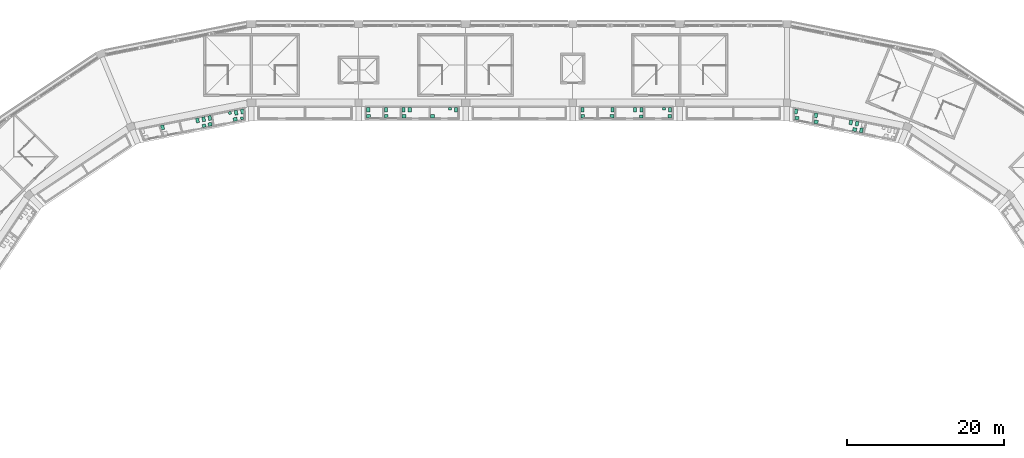
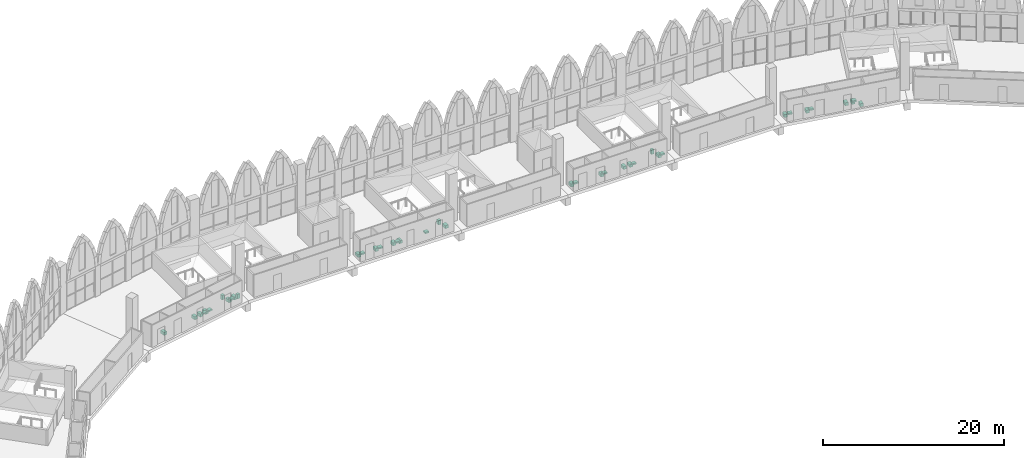
# One storey, part 129 of 130: 39 sanitary terminals.
"""IFC4 building model written with IfcOpenShell, lengths in metres."""

from ifc_helpers import new_model, si_unit, direction, frame, origin, origin_2d, place, context, subcontext, project, spatial, rectangle, extrude, material, type_object, element, save


model = new_model("IFC4")

# Units and contexts
model_context = context("Model", 3, precision=1e-05, world=origin(), true_north=direction((0.0, 1.0)))
body_context = subcontext(model_context, "Body", "Model", "MODEL_VIEW")
ifc_project = project(units=[si_unit("LENGTHUNIT", "METRE"), si_unit("AREAUNIT", "SQUARE_METRE"), si_unit("VOLUMEUNIT", "CUBIC_METRE"), si_unit("PLANEANGLEUNIT", "RADIAN"), si_unit("MASSUNIT", "GRAM", prefix="KILO")], contexts=[model_context])

# Site, building, storey
site_placement = place(None, origin())
site = spatial("IfcSite", under=ifc_project, at=site_placement, CompositionType="ELEMENT")
building_placement = place(site_placement, origin())
building = spatial("IfcBuilding", under=site, at=building_placement, Name="Ogive Plaza Stadium", CompositionType="ELEMENT")
storey_placement = place(building_placement, frame((0.0, 0.0, 22.5)))
storey = spatial("IfcBuildingStorey", under=building, at=storey_placement, Name="L05", CompositionType="ELEMENT", Elevation=22.5)

# Sanitary terminals
ifc_material_1 = material(Name="Vitreous china", Category="ceramic")
sanitary_terminal_type_1 = type_object("IfcSanitaryTerminalType", Name="Drinking fountain", PredefinedType="SANITARYFOUNTAIN", material=ifc_material_1)
for number, where, z_axis, x_axis, name in (
    (1, (-40.01220703125, 89.5830078125, 0.7998046875), (0.0, 0.0, 1.0), (-0.980785280403, -0.195090322016, 0.0), "Drinking fountain L05-092"),
    (2, (15.491943359375, 90.77490234375, 0.7998046875), (0.0, 0.0, 1.0), (-1.0, 0.0, 0.0), "Drinking fountain L05-104"),
):
    element("IfcSanitaryTerminal", number, at=place(storey_placement, frame(where, z_axis=z_axis, x_axis=x_axis)), inside=storey, type_object=sanitary_terminal_type_1, Name=name, PredefinedType="SANITARYFOUNTAIN", context=body_context, shape_type="SweptSolid", body=[
        extrude(rectangle(XDim=0.449951171875, YDim=0.39990234375, at=origin_2d()), origin(), (0.0, 0.0, 1.0), 0.199951171875),
    ])
ifc_material_2 = material(Name="Vitreous china", Category="ceramic")
sanitary_terminal_type_2 = type_object("IfcSanitaryTerminalType", Name="Lavatory", PredefinedType="WASHHANDBASIN", material=ifc_material_2)
for number, where, z_axis, x_axis, name in (
    (3, (-36.0625, 90.394287109375, 0.7998046875), (0.0, 0.0, 1.0), (-0.980785280403, -0.195090322016, 0.0), "Lavatory L05-091"),
    (4, (-10.98291015625, 90.800048828125, 0.7998046875), (0.0, 0.0, 1.0), (1.0, 0.0, 0.0), "Lavatory L05-097"),
    (5, (19.125, 90.800048828125, 0.7998046875), (0.0, 0.0, 1.0), (-1.0, 0.0, 0.0), "Lavatory L05-103"),
    (6, (-39.2568359375, 89.7587890625, 0.7998046875), (0.0, 0.0, 1.0), (-0.980785280403, -0.195090322016, 0.0), "Lavatory L05-092"),
    (7, (-14.64111328125, 90.800048828125, 0.7998046875), (0.0, 0.0, 1.0), (1.0, 0.0, 0.0), "Lavatory L05-098"),
    (8, (42.616943359375, 89.09033203125, 0.7998046875), (0.0, 0.0, 1.0), (-0.980785280403, 0.195090322016, 0.0), "Lavatory L05-110"),
    (9, (-16.883056640625, 90.800048828125, 0.7998046875), (0.0, 0.0, 1.0), (1.0, 0.0, 0.0), "Lavatory L05-099"),
    (10, (-19.125, 90.800048828125, 0.7998046875), (0.0, 0.0, 1.0), (1.0, 0.0, 0.0), "Lavatory L05-100"),
    (11, (11.80908203125, 90.800048828125, 0.7998046875), (0.0, 0.0, 1.0), (-1.0, 0.0, 0.0), "Lavatory L05-105"),
    (12, (8.074951171875, 90.800048828125, 0.7998046875), (0.0, 0.0, 1.0), (1.0, 0.0, 0.0), "Lavatory L05-106"),
    (13, (37.716552734375, 90.065185546875, 0.7998046875), (0.0, 0.0, 1.0), (0.980785280403, -0.195090322016, 0.0), "Lavatory L05-111"),
    (14, (35.277587890625, 90.55029296875, 0.7998046875), (0.0, 0.0, 1.0), (0.980785280403, -0.195090322016, 0.0), "Lavatory L05-112"),
):
    element("IfcSanitaryTerminal", number, at=place(storey_placement, frame(where, z_axis=z_axis, x_axis=x_axis)), inside=storey, type_object=sanitary_terminal_type_2, Name=name, PredefinedType="WASHHANDBASIN", context=body_context, shape_type="SweptSolid", body=[
        extrude(rectangle(XDim=0.5, YDim=0.449951171875, at=origin_2d()), origin(), (0.0, 0.0, 1.0), 0.199951171875),
    ])
ifc_material_3 = material(Name="Vitreous china", Category="ceramic")
sanitary_terminal_type_3 = type_object("IfcSanitaryTerminalType", Name="Urinal", PredefinedType="URINAL", material=ifc_material_3)
for number, where, z_axis, x_axis, name in (
    (15, (-36.728759765625, 91.203857421875, 0.599853515625), (0.0, 0.0, 1.0), (-0.980785280403, -0.195090322016, 0.0), "Urinal L05-091"),
    (16, (-35.1943359375, 90.515869140625, 0.599853515625), (0.0, 0.0, 1.0), (-0.980785280403, -0.195090322016, 0.0), "Urinal L05-091"),
    (17, (-8.800048828125, 91.75, 0.599853515625), (0.0, 0.0, 1.0), (-1.0, 0.0, 0.0), "Urinal L05-097"),
    (18, (18.39990234375, 91.75, 0.599853515625), (0.0, 0.0, 1.0), (-1.0, 0.0, 0.0), "Urinal L05-103"),
):
    element("IfcSanitaryTerminal", number, at=place(storey_placement, frame(where, z_axis=z_axis, x_axis=x_axis)), inside=storey, type_object=sanitary_terminal_type_3, Name=name, PredefinedType="URINAL", context=body_context, shape_type="SweptSolid", body=[
        extrude(rectangle(XDim=0.35009765625, YDim=0.35009765625, at=origin_2d()), origin(), (0.0, 0.0, 1.0), 0.60009765625),
    ])
ifc_material_4 = material(Name="Vitreous china", Category="ceramic")
sanitary_terminal_type_4 = type_object("IfcSanitaryTerminalType", Name="Water closet", PredefinedType="TOILETPAN", material=ifc_material_4)
for number, where, z_axis, x_axis, name in (
    (19, (-35.15966796875, 91.388427734375, 0.0), (0.0, 0.0, 1.0), (-0.980785280403, -0.195090322016, 0.0), "Water closet L05-091"),
    (20, (-35.944091796875, 91.232421875, 0.0), (0.0, 0.0, 1.0), (-0.980785280403, -0.195090322016, 0.0), "Water closet L05-091"),
    (21, (-8.02490234375, 91.625, 0.0), (0.0, 0.0, 1.0), (-1.0, 0.0, 0.0), "Water closet L05-097"),
    (22, (19.175048828125, 91.625, 0.0), (0.0, 0.0, 1.0), (-1.0, 0.0, 0.0), "Water closet L05-103"),
    (23, (-39.27978515625, 90.56884765625, 0.0), (0.0, 0.0, 1.0), (-0.980785280403, -0.195090322016, 0.0), "Water closet L05-092"),
    (24, (-40.064453125, 90.412841796875, 0.0), (0.0, 0.0, 1.0), (-0.980785280403, -0.195090322016, 0.0), "Water closet L05-092"),
    (25, (-40.84912109375, 90.2568359375, 0.0), (0.0, 0.0, 1.0), (-0.980785280403, -0.195090322016, 0.0), "Water closet L05-092"),
    (26, (-14.69091796875, 91.625, 0.0), (0.0, 0.0, 1.0), (1.0, 0.0, 0.0), "Water closet L05-098"),
    (27, (-13.89111328125, 91.625, 0.0), (0.0, 0.0, 1.0), (1.0, 0.0, 0.0), "Water closet L05-098"),
    (28, (15.51708984375, 91.625, 0.0), (0.0, 0.0, 1.0), (-1.0, 0.0, 0.0), "Water closet L05-104"),
    (29, (14.717041015625, 91.625, 0.0), (0.0, 0.0, 1.0), (-1.0, 0.0, 0.0), "Water closet L05-104"),
    (30, (42.90576171875, 89.84765625, 0.0), (0.0, 0.0, 1.0), (-0.980785280403, 0.195090322016, 0.0), "Water closet L05-110"),
    (31, (42.12109375, 90.003662109375, 0.0), (0.0, 0.0, 1.0), (-0.980785280403, 0.195090322016, 0.0), "Water closet L05-110"),
    (32, (43.465087890625, 88.998046875, 0.0), (0.0, 0.0, 1.0), (-0.980785280403, 0.195090322016, 0.0), "Water closet L05-110"),
    (33, (-45.285400390625, 89.374267578125, 0.0), (0.0, 0.0, 1.0), (0.980785280403, 0.195090322016, 0.0), "Water closet L05-093"),
    (34, (-16.93310546875, 91.625, 0.0), (0.0, 0.0, 1.0), (1.0, 0.0, 0.0), "Water closet L05-099"),
    (35, (-19.175048828125, 91.625, 0.0), (0.0, 0.0, 1.0), (1.0, 0.0, 0.0), "Water closet L05-100"),
    (36, (11.85888671875, 91.625, 0.0), (0.0, 0.0, 1.0), (-1.0, 0.0, 0.0), "Water closet L05-105"),
    (37, (8.02490234375, 91.625, 0.0), (0.0, 0.0, 1.0), (1.0, 0.0, 0.0), "Water closet L05-106"),
    (38, (37.684814453125, 90.885986328125, 0.0), (0.0, 0.0, 1.0), (0.980785280403, -0.195090322016, 0.0), "Water closet L05-111"),
    (39, (35.15966796875, 91.388427734375, 0.0), (0.0, 0.0, 1.0), (0.980785280403, -0.195090322016, 0.0), "Water closet L05-112"),
):
    element("IfcSanitaryTerminal", number, at=place(storey_placement, frame(where, z_axis=z_axis, x_axis=x_axis)), inside=storey, type_object=sanitary_terminal_type_4, Name=name, PredefinedType="TOILETPAN", context=body_context, shape_type="SweptSolid", body=[
        extrude(rectangle(XDim=0.39990234375, YDim=0.60009765625, at=origin_2d()), origin(), (0.0, 0.0, 1.0), 0.39990234375),
    ])

save(model, "model.ifc")
